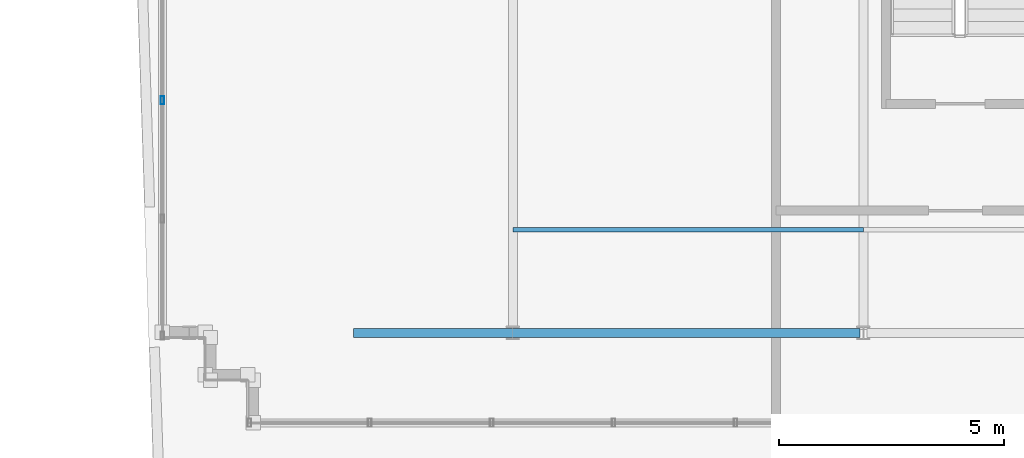
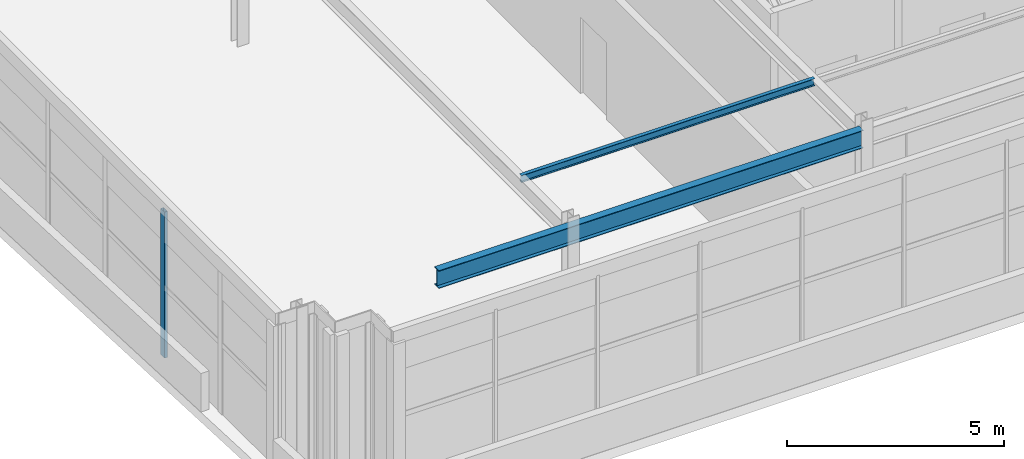
# One storey, part 14 of 31: 2 members, 1 beam, 1 element without a shape of its own.
"""IFC4 building model written with IfcOpenShell, lengths in metres."""

import ifcopenshell
import ifcopenshell.guid

model = None  # the IFC model being written
_history = None  # IfcOwnerHistory: only IFC2X3 demands one
_inside = {}  # id of a spatial element -> (the spatial element, [elements in it])
_under = {}  # id of a project, library or spatial element -> (it, [spatial elements below it])
_declared = {}  # id of a project -> (the project, [libraries it declares])
_typed = {}  # id of a type object -> (the type object, [elements of that type])
_made_of = {}  # id of a material, layer set ... -> (it, [elements and type objects made of it])


def new_model(schema):
    """Start an empty IFC model of exactly this schema.

    Asked for "IFC4X3", IfcOpenShell would pick the latest addendum, in which some entities
    have other attributes; the version numbers below select the first issue.
    IFC2X3 requires an IfcOwnerHistory on every rooted entity: one is made here for all.
    """
    global model, _history
    if schema == "IFC4X3":
        model = ifcopenshell.file(schema_version=(4, 3, 0, 0))
    else:
        model = ifcopenshell.file(schema=schema)
    _inside.clear()
    _under.clear()
    _declared.clear()
    _typed.clear()
    _made_of.clear()
    _history = None
    if model.schema == "IFC2X3":
        org = make("IfcOrganization", Name="unknown")
        user = make(
            "IfcPersonAndOrganization",
            ThePerson=make("IfcPerson", FamilyName="unknown"),
            TheOrganization=org,
        )
        app = make(
            "IfcApplication",
            ApplicationDeveloper=org,
            Version="unknown",
            ApplicationFullName="unknown",
            ApplicationIdentifier="unknown",
        )
        _history = make(
            "IfcOwnerHistory",
            OwningUser=user,
            OwningApplication=app,
            ChangeAction="ADDED",
            CreationDate=0,
        )
    return model


def make(cls, **values):
    """One entity of the class cls with the attributes given. An attribute that is None is left unset."""
    return model.create_entity(
        cls, **{name: value for name, value in values.items() if value is not None}
    )


def rooted(cls, **values):
    """An entity with a GlobalId (a new one), such as an element, a storey or a relation."""
    return make(cls, GlobalId=ifcopenshell.guid.new(), OwnerHistory=_history, **values)


def si_unit(unit_type, name, prefix=None):
    """IfcSIUnit, for example si_unit("LENGTHUNIT", "METRE", prefix="MILLI")."""
    return make("IfcSIUnit", UnitType=unit_type, Prefix=prefix, Name=name)


def assignment(units):
    """IfcUnitAssignment: the units of a project."""
    return None if units is None else make("IfcUnitAssignment", Units=units)


def point(xyz):
    """IfcCartesianPoint."""
    return None if xyz is None else make("IfcCartesianPoint", Coordinates=xyz)


def direction(xyz):
    """IfcDirection."""
    return None if xyz is None else make("IfcDirection", DirectionRatios=xyz)


def frame(location, z_axis=None, x_axis=None):
    """IfcAxis2Placement3D, a coordinate frame: its origin and axes. An axis left out is left unset."""
    return make(
        "IfcAxis2Placement3D",
        Location=point(location),
        Axis=direction(z_axis),
        RefDirection=direction(x_axis),
    )


def frame_2d(location, x_axis=None):
    """IfcAxis2Placement2D, a coordinate frame in the plane: its origin and x axis."""
    return make(
        "IfcAxis2Placement2D", Location=point(location), RefDirection=direction(x_axis)
    )


def origin():
    """The frame at (0, 0, 0) with its axes left unset."""
    return frame((0.0, 0.0, 0.0))


def origin_2d():
    """The frame at (0, 0) in the plane with its x axis left unset."""
    return frame_2d((0.0, 0.0))


def place(relative_to, where):
    """IfcLocalPlacement: puts the frame where relative to a parent placement (None: the world)."""
    return make(
        "IfcLocalPlacement", PlacementRelTo=relative_to, RelativePlacement=where
    )


def context(
    kind, dimensions, precision=None, world=None, true_north=None, identifier=None
):
    """IfcGeometricRepresentationContext, for example the 3D "Model" context."""
    return make(
        "IfcGeometricRepresentationContext",
        ContextIdentifier=identifier,
        ContextType=kind,
        CoordinateSpaceDimension=dimensions,
        Precision=precision,
        WorldCoordinateSystem=world,
        TrueNorth=true_north,
    )


def subcontext(parent, identifier, kind, view, scale=None):
    """IfcGeometricRepresentationSubContext, for example "Body" below "Model"."""
    return make(
        "IfcGeometricRepresentationSubContext",
        ContextIdentifier=identifier,
        ContextType=kind,
        ParentContext=parent,
        TargetScale=scale,
        TargetView=view,
    )


def project(units=None, contexts=None):
    """IfcProject with its units and contexts."""
    return rooted(
        "IfcProject",
        Name="project",
        RepresentationContexts=contexts,
        UnitsInContext=assignment(units),
    )


def spatial(cls, under=None, at=None, **own):
    """A site, building, storey or space (cls), placed at a placement, below another one or the project."""
    s = rooted(cls, ObjectPlacement=at, **own)
    if under is not None:
        _under.setdefault(under.id(), (under, []))[1].append(s)
    return s


def profile(cls, at=None, kind="AREA", **sizes):
    """A parametric profile (cls). Its sizes go by their IFC names, for example OverallWidth=200.0."""
    return make(cls, ProfileType=kind, Position=at, **sizes)


def hollow_rectangle(**sizes):
    """IfcRectangleHollowProfileDef."""
    return profile("IfcRectangleHollowProfileDef", **sizes)


def i_section(**sizes):
    """IfcIShapeProfileDef."""
    return profile("IfcIShapeProfileDef", **sizes)


def extrude(swept, where, along, depth):
    """IfcExtrudedAreaSolid: the profile swept, set in the frame where, extruded along a direction by depth."""
    return make(
        "IfcExtrudedAreaSolid",
        SweptArea=swept,
        Position=where,
        ExtrudedDirection=direction(along),
        Depth=depth,
    )


def shape(context_of_items, identifier, shape_type, items):
    """IfcShapeRepresentation: the items that make up one representation, for example the "Body"."""
    return make(
        "IfcShapeRepresentation",
        ContextOfItems=context_of_items,
        RepresentationIdentifier=identifier,
        RepresentationType=shape_type,
        Items=items,
    )


def source(mapping_origin, context_of_items, identifier, shape_type, items):
    """IfcRepresentationMap: a shape defined once, which mapped items show again and again."""
    return make(
        "IfcRepresentationMap",
        MappingOrigin=mapping_origin,
        MappedRepresentation=shape(context_of_items, identifier, shape_type, items),
    )


def transform(
    local_origin,
    x_axis=None,
    y_axis=None,
    z_axis=None,
    scale=None,
    scale2=None,
    scale3=None,
    uniform=True,
):
    """IfcCartesianTransformationOperator3D, or its non-uniform kind. x_axis, y_axis, z_axis: its Axis1, 2, 3."""
    if uniform:
        return make(
            "IfcCartesianTransformationOperator3D",
            Axis1=direction(x_axis),
            Axis2=direction(y_axis),
            LocalOrigin=point(local_origin),
            Scale=scale,
            Axis3=direction(z_axis),
        )
    return make(
        "IfcCartesianTransformationOperator3DnonUniform",
        Axis1=direction(x_axis),
        Axis2=direction(y_axis),
        LocalOrigin=point(local_origin),
        Scale=scale,
        Axis3=direction(z_axis),
        Scale2=scale2,
        Scale3=scale3,
    )


def mapped(mapping_source, mapping_target):
    """IfcMappedItem: shows the shape of a source again, moved by a transform."""
    return make(
        "IfcMappedItem", MappingSource=mapping_source, MappingTarget=mapping_target
    )


def material(Name=None, Category=None):
    """IfcMaterial."""
    return make("IfcMaterial", Name=Name, Category=Category)


def material_profile(
    of_material, cross_section, Name=None, Category=None, Priority=None
):
    """IfcMaterialProfile: a cross section and its material."""
    return make(
        "IfcMaterialProfile",
        Name=Name,
        Material=of_material,
        Profile=cross_section,
        Priority=Priority,
        Category=Category,
    )


def profile_set(profiles, Name=None, composite=None):
    """IfcMaterialProfileSet."""
    return make(
        "IfcMaterialProfileSet",
        Name=Name,
        MaterialProfiles=profiles,
        CompositeProfile=composite,
    )


def made_of(thing, what):
    """Note that an element or type object is made of a material, layer set ...; save() writes the relation."""
    if what is not None:
        _made_of.setdefault(what.id(), (what, []))[1].append(thing)
    return thing


def type_object(cls, material=None, **own):
    """A type object (cls), such as IfcWallType, which elements share."""
    return made_of(rooted(cls, **own), material)


def element(
    cls,
    number,
    at=None,
    inside=None,
    cuts=None,
    type_object=None,
    material=None,
    context=None,
    identifier="Body",
    shape_type=None,
    held_by="IfcProductDefinitionShape",
    body=None,
    shapes=None,
    **own,
):
    """One element of the class cls, such as IfcWall. Its Tag is "e" and its number.

    at: its placement. inside: the storey or other place that contains it. cuts: it is an
    opening in that element (IfcRelVoidsElement). A single representation is given by context,
    identifier, shape_type and body (its items); several are given by shapes. held_by: the class
    of the entity that holds the representations. save() writes the other relations.
    """
    e = rooted(cls, Tag="e%d" % number, ObjectPlacement=at, **own)
    if body is not None:
        shapes = [shape(context, identifier, shape_type, body)]
    if shapes is not None:
        e.Representation = make(held_by, Representations=shapes)
    if inside is not None:
        _inside.setdefault(inside.id(), (inside, []))[1].append(e)
    if cuts is not None:
        rooted(
            "IfcRelVoidsElement", RelatingBuildingElement=cuts, RelatedOpeningElement=e
        )
    if type_object is not None:
        _typed.setdefault(type_object.id(), (type_object, []))[1].append(e)
    return made_of(e, material)


def aggregate(whole, parts):
    """IfcRelAggregates: a whole, such as a stair, and the parts it consists of."""
    return rooted("IfcRelAggregates", RelatingObject=whole, RelatedObjects=parts)


def save(model, path):
    """Write the relations noted so far, then the file.

    IfcRelAggregates (storeys below a building ...), IfcRelContainedInSpatialStructure (elements
    in a storey), IfcRelDefinesByType, IfcRelAssociatesMaterial and IfcRelDeclares: one each for
    every whole, place, type object, material and project.
    """
    for whole, parts in _under.values():
        aggregate(whole, parts)
    for where, things in _inside.values():
        rooted(
            "IfcRelContainedInSpatialStructure",
            RelatedElements=things,
            RelatingStructure=where,
        )
    for kind, things in _typed.values():
        rooted("IfcRelDefinesByType", RelatedObjects=things, RelatingType=kind)
    for what, things in _made_of.values():
        rooted("IfcRelAssociatesMaterial", RelatedObjects=things, RelatingMaterial=what)
    for by, libraries in _declared.values():
        rooted("IfcRelDeclares", RelatingContext=by, RelatedDefinitions=libraries)
    model.write(path)


model = new_model("IFC4")

# Units and contexts
model_context = context("Model", 3, precision=1e-05, world=origin(), true_north=direction((0.0, 1.0)))
body_context = subcontext(model_context, "Body", "Model", "MODEL_VIEW")
ifc_project = project(units=[si_unit("LENGTHUNIT", "METRE"), si_unit("AREAUNIT", "SQUARE_METRE"), si_unit("VOLUMEUNIT", "CUBIC_METRE"), si_unit("PLANEANGLEUNIT", "RADIAN"), si_unit("MASSUNIT", "GRAM", prefix="KILO")], contexts=[model_context])

# Site, building, storey
site_placement = place(None, origin())
site = spatial("IfcSite", under=ifc_project, at=site_placement, CompositionType="ELEMENT")
building_placement = place(site_placement, origin())
building = spatial("IfcBuilding", under=site, at=building_placement, Name="Trelvane Seafront Commons", CompositionType="ELEMENT")
storey_placement = place(building_placement, frame((0.0, 0.0, 307.89990234375)))
storey = spatial("IfcBuildingStorey", under=building, at=storey_placement, Name="L80", CompositionType="ELEMENT", Elevation=307.89990234375)

# Beam
ifc_material_1 = material(Name="Steel SM355 (S355)", Category="steel")
ifc_material_profile_1 = material_profile(ifc_material_1, i_section(OverallWidth=0.199951171875, OverallDepth=0.5, WebThickness=0.010009765625, FlangeThickness=0.01611328125, at=origin_2d()), Name="H-500x200x10x16")
ifc_profile_set_1 = profile_set([ifc_material_profile_1], Name="Steel SM355 (S355)")
beam_type = type_object("IfcBeamType", Name="STR-CROWN-FRAME-RING", PredefinedType="SPANDREL", material=ifc_profile_set_1)
shared_shape_1 = source(origin(), body_context, "Body", "SweptSolid", [
    extrude(i_section(OverallWidth=0.199951171875, OverallDepth=0.5, WebThickness=0.010009765625, FlangeThickness=0.01611328125, at=origin_2d()), origin(), (0.0, 0.0, 1.0), 11.275146484375),
])
beam_placement = place(storey_placement, frame((47.449951171875, 18.199951171875, 3.85009765625), z_axis=(1.0, 0.0, 0.0), x_axis=(0.0, 1.0, 0.0)))
element("IfcBeam", 1, at=beam_placement, inside=storey, type_object=beam_type, Name="L80 CROWN FRAME Ring Beam G-06", PredefinedType="SPANDREL", context=body_context, shape_type="MappedRepresentation", body=[
    mapped(shared_shape_1, transform((0.0, 0.0, 0.0), x_axis=(1.0, 0.0, 0.0), y_axis=(0.0, 1.0, 0.0), z_axis=(0.0, 0.0, 1.0), scale=1.0)),
])

# Member
ifc_material_profile_2 = material_profile(ifc_material_1, i_section(OverallWidth=0.10009765625, OverallDepth=0.199951171875, WebThickness=0.005615234375, FlangeThickness=0.008056640625, at=origin_2d()), Name="H-200x100x5.5x8")
ifc_profile_set_2 = profile_set([ifc_material_profile_2], Name="Steel SM355 (S355)")
member_type_1 = type_object("IfcMemberType", Name="STR-PUR-H200", PredefinedType="PURLIN", material=ifc_profile_set_2)
shared_shape_2 = source(origin(), body_context, "Body", "SweptSolid", [
    extrude(i_section(OverallWidth=0.10009765625, OverallDepth=0.199951171875, WebThickness=0.005615234375, FlangeThickness=0.008056640625, at=origin_2d()), origin(), (0.0, 0.0, 1.0), 7.800048828125),
])
member_1_placement = place(storey_placement, frame((51.0, 20.5, 4.0), z_axis=(1.0, 0.0, 0.0), x_axis=(0.0, 1.0, 0.0)))
element("IfcMember", 2, at=member_1_placement, inside=storey, type_object=member_type_1, Name="L80 Crown Roof Purlin PR-1", PredefinedType="PURLIN", context=body_context, shape_type="MappedRepresentation", body=[
    mapped(shared_shape_2, transform((0.0, 0.0, 0.0), x_axis=(1.0, 0.0, 0.0), y_axis=(0.0, 1.0, 0.0), z_axis=(0.0, 0.0, 1.0), scale=1.0)),
])

# Curtain wall, member
ifc_material_2 = material(Name="Anodised pale-silver aluminium", Category="aluminium")
curtain_wall_type = type_object("IfcCurtainWallType", Name="ARCH-CW6-CROWN", PredefinedType="NOTDEFINED", material=ifc_material_2)
curtain_wall_placement = place(storey_placement, origin())
curtain_wall = element("IfcCurtainWall", 3, at=curtain_wall_placement, inside=storey, type_object=curtain_wall_type, Name="CW-L80-0140", PredefinedType="NOTDEFINED")
ifc_material_profile_3 = material_profile(ifc_material_2, hollow_rectangle(XDim=0.080078125, YDim=0.179931640625, WallThickness=0.00439453125, at=origin_2d()), Name="MULL-80x180x4.5")
ifc_profile_set_3 = profile_set([ifc_material_profile_3], Name="Anodised pale-silver aluminium")
member_type_2 = type_object("IfcMemberType", Name="ARCH-CW-MULL-180", PredefinedType="MULLION", material=ifc_profile_set_3)
shared_shape_3 = source(origin(), body_context, "Body", "SweptSolid", [
    extrude(hollow_rectangle(XDim=0.080078125, YDim=0.179931640625, WallThickness=0.00439453125, at=origin_2d()), origin(), (0.0, 0.0, 1.0), 4.10009765625),
])
member_2_placement = place(storey_placement, frame((43.199951171875, 23.3798828125, 0.0), z_axis=(0.0, 0.0, 1.0), x_axis=(1.0, 0.0, 0.0)))
member_2 = element("IfcMember", 4, at=member_2_placement, type_object=member_type_2, Name="CW-L80-0140-M02", PredefinedType="MULLION", context=body_context, shape_type="MappedRepresentation", body=[
    mapped(shared_shape_3, transform((0.0, 0.0, 0.0), x_axis=(1.0, 0.0, 0.0), y_axis=(0.0, 1.0, 0.0), z_axis=(0.0, 0.0, 1.0), scale=1.0)),
])
aggregate(curtain_wall, [member_2])

save(model, "model.ifc")
